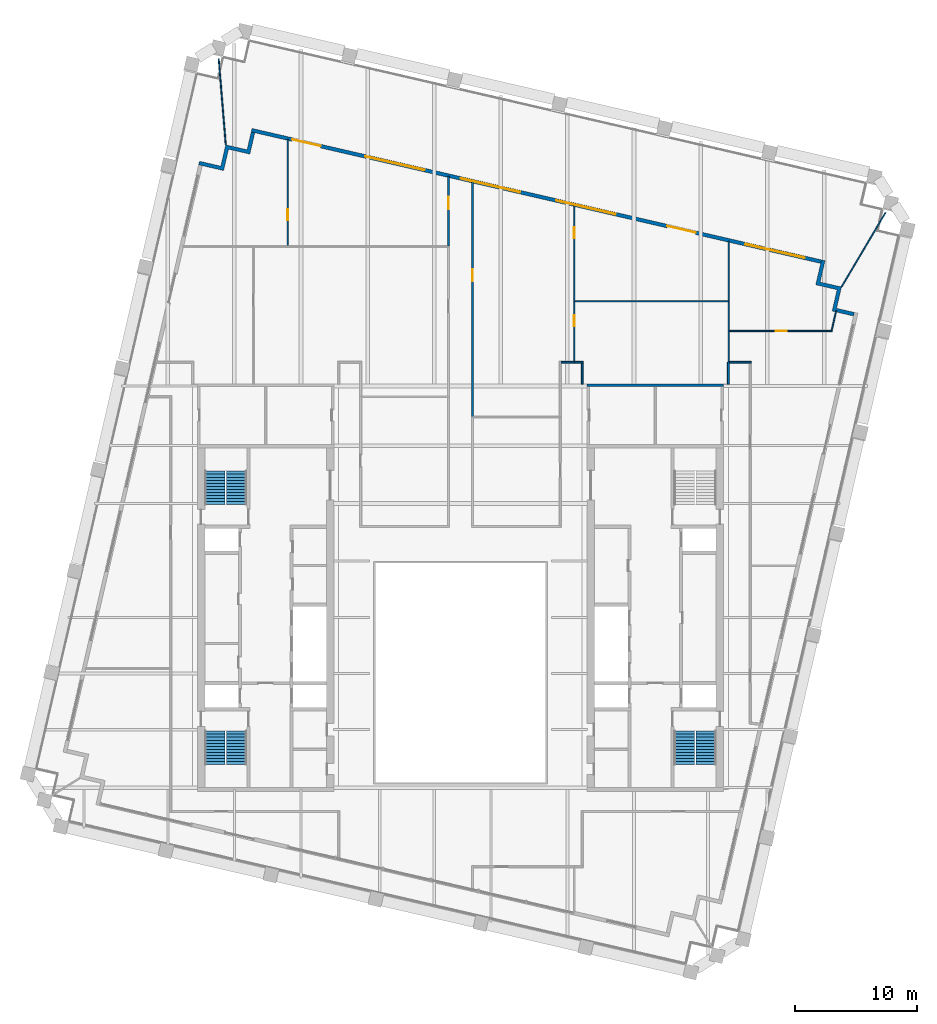
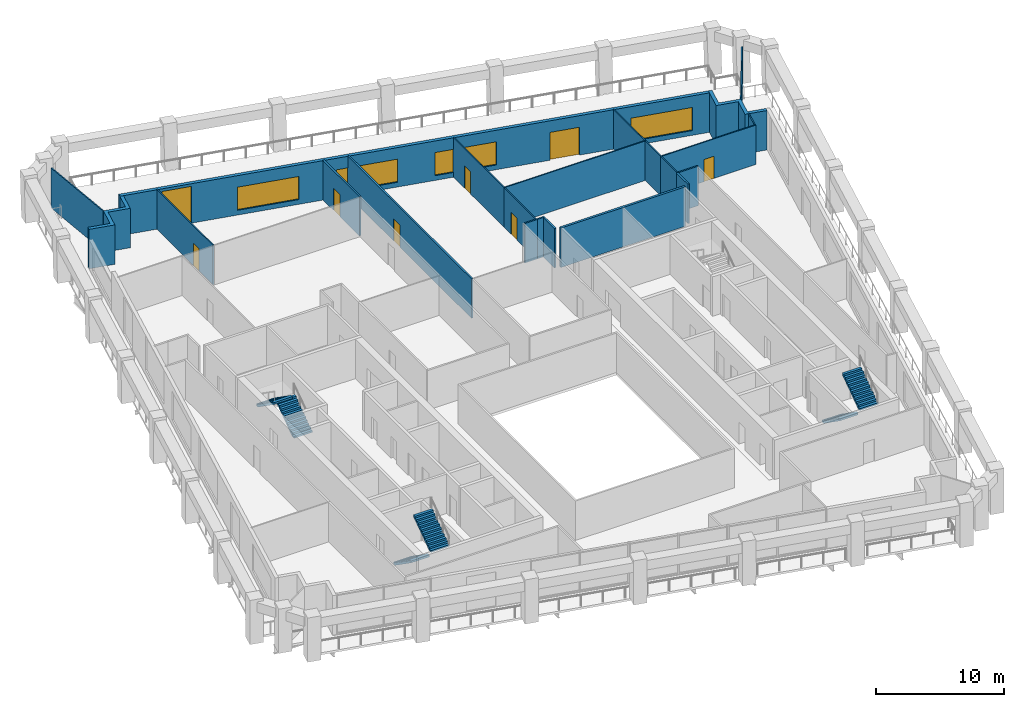
# One storey, part 9 of 11: 22 walls, 8 doors, 6 stair flights, 4 windows, 12 openings, 3 elements without a shape of their own.
"""IFC4 building model written with IfcOpenShell, lengths in metres."""

import ifcopenshell
import ifcopenshell.guid

model = None  # the IFC model being written
_history = None  # IfcOwnerHistory: only IFC2X3 demands one
_inside = {}  # id of a spatial element -> (the spatial element, [elements in it])
_under = {}  # id of a project, library or spatial element -> (it, [spatial elements below it])
_declared = {}  # id of a project -> (the project, [libraries it declares])
_typed = {}  # id of a type object -> (the type object, [elements of that type])
_made_of = {}  # id of a material, layer set ... -> (it, [elements and type objects made of it])


def new_model(schema):
    """Start an empty IFC model of exactly this schema.

    Asked for "IFC4X3", IfcOpenShell would pick the latest addendum, in which some entities
    have other attributes; the version numbers below select the first issue.
    IFC2X3 requires an IfcOwnerHistory on every rooted entity: one is made here for all.
    """
    global model, _history
    if schema == "IFC4X3":
        model = ifcopenshell.file(schema_version=(4, 3, 0, 0))
    else:
        model = ifcopenshell.file(schema=schema)
    _inside.clear()
    _under.clear()
    _declared.clear()
    _typed.clear()
    _made_of.clear()
    _history = None
    if model.schema == "IFC2X3":
        org = make("IfcOrganization", Name="unknown")
        user = make(
            "IfcPersonAndOrganization",
            ThePerson=make("IfcPerson", FamilyName="unknown"),
            TheOrganization=org,
        )
        app = make(
            "IfcApplication",
            ApplicationDeveloper=org,
            Version="unknown",
            ApplicationFullName="unknown",
            ApplicationIdentifier="unknown",
        )
        _history = make(
            "IfcOwnerHistory",
            OwningUser=user,
            OwningApplication=app,
            ChangeAction="ADDED",
            CreationDate=0,
        )
    return model


def make(cls, **values):
    """One entity of the class cls with the attributes given. An attribute that is None is left unset."""
    return model.create_entity(
        cls, **{name: value for name, value in values.items() if value is not None}
    )


def rooted(cls, **values):
    """An entity with a GlobalId (a new one), such as an element, a storey or a relation."""
    return make(cls, GlobalId=ifcopenshell.guid.new(), OwnerHistory=_history, **values)


def si_unit(unit_type, name, prefix=None):
    """IfcSIUnit, for example si_unit("LENGTHUNIT", "METRE", prefix="MILLI")."""
    return make("IfcSIUnit", UnitType=unit_type, Prefix=prefix, Name=name)


def assignment(units):
    """IfcUnitAssignment: the units of a project."""
    return None if units is None else make("IfcUnitAssignment", Units=units)


def point(xyz):
    """IfcCartesianPoint."""
    return None if xyz is None else make("IfcCartesianPoint", Coordinates=xyz)


def direction(xyz):
    """IfcDirection."""
    return None if xyz is None else make("IfcDirection", DirectionRatios=xyz)


def frame(location, z_axis=None, x_axis=None):
    """IfcAxis2Placement3D, a coordinate frame: its origin and axes. An axis left out is left unset."""
    return make(
        "IfcAxis2Placement3D",
        Location=point(location),
        Axis=direction(z_axis),
        RefDirection=direction(x_axis),
    )


def frame_2d(location, x_axis=None):
    """IfcAxis2Placement2D, a coordinate frame in the plane: its origin and x axis."""
    return make(
        "IfcAxis2Placement2D", Location=point(location), RefDirection=direction(x_axis)
    )


def origin():
    """The frame at (0, 0, 0) with its axes left unset."""
    return frame((0.0, 0.0, 0.0))


def place(relative_to, where):
    """IfcLocalPlacement: puts the frame where relative to a parent placement (None: the world)."""
    return make(
        "IfcLocalPlacement", PlacementRelTo=relative_to, RelativePlacement=where
    )


def context(
    kind, dimensions, precision=None, world=None, true_north=None, identifier=None
):
    """IfcGeometricRepresentationContext, for example the 3D "Model" context."""
    return make(
        "IfcGeometricRepresentationContext",
        ContextIdentifier=identifier,
        ContextType=kind,
        CoordinateSpaceDimension=dimensions,
        Precision=precision,
        WorldCoordinateSystem=world,
        TrueNorth=true_north,
    )


def subcontext(parent, identifier, kind, view, scale=None):
    """IfcGeometricRepresentationSubContext, for example "Body" below "Model"."""
    return make(
        "IfcGeometricRepresentationSubContext",
        ContextIdentifier=identifier,
        ContextType=kind,
        ParentContext=parent,
        TargetScale=scale,
        TargetView=view,
    )


def project(units=None, contexts=None):
    """IfcProject with its units and contexts."""
    return rooted(
        "IfcProject",
        Name="project",
        RepresentationContexts=contexts,
        UnitsInContext=assignment(units),
    )


def spatial(cls, under=None, at=None, **own):
    """A site, building, storey or space (cls), placed at a placement, below another one or the project."""
    s = rooted(cls, ObjectPlacement=at, **own)
    if under is not None:
        _under.setdefault(under.id(), (under, []))[1].append(s)
    return s


def polyline(points):
    """IfcPolyline through the points."""
    return make("IfcPolyline", Points=[point(p) for p in points])


def profile(cls, at=None, kind="AREA", **sizes):
    """A parametric profile (cls). Its sizes go by their IFC names, for example OverallWidth=200.0."""
    return make(cls, ProfileType=kind, Position=at, **sizes)


def rectangle(**sizes):
    """IfcRectangleProfileDef."""
    return profile("IfcRectangleProfileDef", **sizes)


def outline(outer, holes=None, kind="AREA"):
    """IfcArbitraryClosedProfileDef: a profile drawn as a closed curve; with holes, ...WithVoids."""
    if holes is None:
        return make("IfcArbitraryClosedProfileDef", ProfileType=kind, OuterCurve=outer)
    return make(
        "IfcArbitraryProfileDefWithVoids",
        ProfileType=kind,
        OuterCurve=outer,
        InnerCurves=holes,
    )


def extrude(swept, where, along, depth):
    """IfcExtrudedAreaSolid: the profile swept, set in the frame where, extruded along a direction by depth."""
    return make(
        "IfcExtrudedAreaSolid",
        SweptArea=swept,
        Position=where,
        ExtrudedDirection=direction(along),
        Depth=depth,
    )


def shape(context_of_items, identifier, shape_type, items):
    """IfcShapeRepresentation: the items that make up one representation, for example the "Body"."""
    return make(
        "IfcShapeRepresentation",
        ContextOfItems=context_of_items,
        RepresentationIdentifier=identifier,
        RepresentationType=shape_type,
        Items=items,
    )


def material(Name=None, Category=None):
    """IfcMaterial."""
    return make("IfcMaterial", Name=Name, Category=Category)


def layer(
    of_material, thickness, ventilated=None, Name=None, Category=None, Priority=None
):
    """IfcMaterialLayer: one layer of a wall or slab, of a material (None: an air gap)."""
    return make(
        "IfcMaterialLayer",
        Material=of_material,
        LayerThickness=thickness,
        IsVentilated=ventilated,
        Name=Name,
        Category=Category,
        Priority=Priority,
    )


def layer_set(layers, Name=None):
    """IfcMaterialLayerSet."""
    return make("IfcMaterialLayerSet", MaterialLayers=layers, LayerSetName=Name)


def made_of(thing, what):
    """Note that an element or type object is made of a material, layer set ...; save() writes the relation."""
    if what is not None:
        _made_of.setdefault(what.id(), (what, []))[1].append(thing)
    return thing


def type_object(cls, material=None, **own):
    """A type object (cls), such as IfcWallType, which elements share."""
    return made_of(rooted(cls, **own), material)


def element(
    cls,
    number,
    at=None,
    inside=None,
    cuts=None,
    type_object=None,
    material=None,
    context=None,
    identifier="Body",
    shape_type=None,
    held_by="IfcProductDefinitionShape",
    body=None,
    shapes=None,
    **own,
):
    """One element of the class cls, such as IfcWall. Its Tag is "e" and its number.

    at: its placement. inside: the storey or other place that contains it. cuts: it is an
    opening in that element (IfcRelVoidsElement). A single representation is given by context,
    identifier, shape_type and body (its items); several are given by shapes. held_by: the class
    of the entity that holds the representations. save() writes the other relations.
    """
    e = rooted(cls, Tag="e%d" % number, ObjectPlacement=at, **own)
    if body is not None:
        shapes = [shape(context, identifier, shape_type, body)]
    if shapes is not None:
        e.Representation = make(held_by, Representations=shapes)
    if inside is not None:
        _inside.setdefault(inside.id(), (inside, []))[1].append(e)
    if cuts is not None:
        rooted(
            "IfcRelVoidsElement", RelatingBuildingElement=cuts, RelatedOpeningElement=e
        )
    if type_object is not None:
        _typed.setdefault(type_object.id(), (type_object, []))[1].append(e)
    return made_of(e, material)


def fill(opening, filler):
    """IfcRelFillsElement: the door or window that sits in an opening."""
    return rooted(
        "IfcRelFillsElement",
        RelatingOpeningElement=opening,
        RelatedBuildingElement=filler,
    )


def aggregate(whole, parts):
    """IfcRelAggregates: a whole, such as a stair, and the parts it consists of."""
    return rooted("IfcRelAggregates", RelatingObject=whole, RelatedObjects=parts)


def save(model, path):
    """Write the relations noted so far, then the file.

    IfcRelAggregates (storeys below a building ...), IfcRelContainedInSpatialStructure (elements
    in a storey), IfcRelDefinesByType, IfcRelAssociatesMaterial and IfcRelDeclares: one each for
    every whole, place, type object, material and project.
    """
    for whole, parts in _under.values():
        aggregate(whole, parts)
    for where, things in _inside.values():
        rooted(
            "IfcRelContainedInSpatialStructure",
            RelatedElements=things,
            RelatingStructure=where,
        )
    for kind, things in _typed.values():
        rooted("IfcRelDefinesByType", RelatedObjects=things, RelatingType=kind)
    for what, things in _made_of.values():
        rooted("IfcRelAssociatesMaterial", RelatedObjects=things, RelatingMaterial=what)
    for by, libraries in _declared.values():
        rooted("IfcRelDeclares", RelatingContext=by, RelatedDefinitions=libraries)
    model.write(path)


model = new_model("IFC4")

# Units and contexts
model_context = context("Model", 3, precision=1e-05, world=origin(), true_north=direction((0.0, 1.0)))
body_context = subcontext(model_context, "Body", "Model", "MODEL_VIEW")
ifc_project = project(units=[si_unit("LENGTHUNIT", "METRE"), si_unit("AREAUNIT", "SQUARE_METRE"), si_unit("VOLUMEUNIT", "CUBIC_METRE"), si_unit("PLANEANGLEUNIT", "RADIAN"), si_unit("MASSUNIT", "GRAM", prefix="KILO")], contexts=[model_context])

# Site, building, storey
site_placement = place(None, origin())
site = spatial("IfcSite", under=ifc_project, at=site_placement, CompositionType="ELEMENT")
building_placement = place(site_placement, origin())
building = spatial("IfcBuilding", under=site, at=building_placement, Name="Ogive Exchange Tower", CompositionType="ELEMENT")
storey_placement = place(building_placement, frame((0.0, 0.0, 293.39990234375)))
storey = spatial("IfcBuildingStorey", under=building, at=storey_placement, Name="L64", CompositionType="ELEMENT", Elevation=293.39990234375)

# Wall, opening, door
ifc_material_1 = material(Name="Fire partition EI 60 150")
ifc_layer_1 = layer(ifc_material_1, 0.14990234375)
ifc_layer_set_1 = layer_set([ifc_layer_1], Name="Fire partition EI 60 150")
wall_type_1 = type_object("IfcWallType", Name="Fire partition EI 60 150", PredefinedType="PARTITIONING", material=ifc_layer_set_1)
wall_1_placement = place(storey_placement, frame((-0.989990234375, 42.050048828125, 0.0), z_axis=(0.0, 0.0, 1.0), x_axis=(0.0, 1.0, 0.0)))
wall_1 = element("IfcWall", 1, at=wall_1_placement, inside=storey, type_object=wall_type_1, Name="L64-PWL-023", PredefinedType="PARTITIONING", context=body_context, shape_type="SweptSolid", body=[
    extrude(rectangle(XDim=5.702880859375, YDim=0.14990234375, at=frame_2d((2.8515625, 0.0))), origin(), (0.0, 0.0, 1.0), 3.75),
])
opening_1_placement = place(wall_1_placement, frame((3.030029296875, 0.0, 0.0)))
opening_1 = element("IfcOpeningElement", 2, at=opening_1_placement, cuts=wall_1, Name="Opening L64-I13", PredefinedType="OPENING", context=body_context, shape_type="SweptSolid", body=[
    extrude(rectangle(XDim=1.0, YDim=2.10009765625, at=frame_2d((0.5, 1.050048828125))), frame((0.0, 0.0849609375, 0.0), z_axis=(0.0, -1.0, 0.0), x_axis=(1.0, 0.0, 0.0)), (0.0, 0.0, 1.0), 0.169921875),
])
ifc_material_2 = material(Name="Fire door FD 30S 1000 x 2100")
door_type_1 = type_object("IfcDoorType", Name="Fire door FD 30S 1000 x 2100", OperationType="NOTDEFINED", PredefinedType="DOOR", material=ifc_material_2)
door_1_placement = place(opening_1_placement, origin())
door_1 = element("IfcDoor", 3, at=door_1_placement, inside=storey, type_object=door_type_1, Name="L64-IDR-013", ObjectType="DT3", OperationType="SINGLE_SWING_LEFT", OverallHeight=2.10009765625, OverallWidth=1.0, PredefinedType="DOOR", context=body_context, shape_type="SweptSolid", body=[
    extrude(rectangle(XDim=1.0, YDim=2.10009765625, at=frame_2d((0.5, 1.050048828125))), frame((0.0, 0.02490234375, 0.0), z_axis=(0.0, -1.0, 0.0), x_axis=(1.0, 0.0, 0.0)), (0.0, 0.0, 1.0), 0.050048828125),
])
fill(opening_1, door_1)

wall_2_placement = place(storey_placement, frame((0.989990234375, 47.2958984375, 0.0), z_axis=(0.0, 0.0, 1.0), x_axis=(0.0, -1.0, 0.0)))
wall_2 = element("IfcWall", 4, at=wall_2_placement, inside=storey, type_object=wall_type_1, Name="L64-PWL-028", PredefinedType="PARTITIONING", context=body_context, shape_type="SweptSolid", body=[
    extrude(rectangle(XDim=19.2958984375, YDim=0.14990234375, at=frame_2d((9.64794921875, 0.0))), origin(), (0.0, 0.0, 1.0), 3.75),
])
opening_2_placement = place(wall_2_placement, frame((7.14599609375, 0.0, 0.0)))
opening_2 = element("IfcOpeningElement", 5, at=opening_2_placement, cuts=wall_2, Name="Opening L64-I02", PredefinedType="OPENING", context=body_context, shape_type="SweptSolid", body=[
    extrude(rectangle(XDim=1.0, YDim=2.10009765625, at=frame_2d((0.5, 1.050048828125))), frame((0.0, 0.0849609375, 0.0), z_axis=(0.0, -1.0, 0.0), x_axis=(1.0, 0.0, 0.0)), (0.0, 0.0, 1.0), 0.169921875),
])
door_2_placement = place(opening_2_placement, origin())
door_2 = element("IfcDoor", 6, at=door_2_placement, inside=storey, type_object=door_type_1, Name="L64-IDR-002", ObjectType="DT3", OperationType="SINGLE_SWING_RIGHT", OverallHeight=2.10009765625, OverallWidth=1.0, PredefinedType="DOOR", context=body_context, shape_type="SweptSolid", body=[
    extrude(rectangle(XDim=1.0, YDim=2.10009765625, at=frame_2d((0.5, 1.050048828125))), frame((0.0, 0.02490234375, 0.0), z_axis=(0.0, -1.0, 0.0), x_axis=(1.0, 0.0, 0.0)), (0.0, 0.0, 1.0), 0.050048828125),
])
fill(opening_2, door_2)

# Walls
wall_3_placement = place(storey_placement, frame((8.27490234375, 32.5, 0.0), z_axis=(0.0, 0.0, 1.0), x_axis=(1.0, 0.0, 0.0)))
element("IfcWall", 7, at=wall_3_placement, inside=storey, type_object=wall_type_1, Name="L64-PWL-031", PredefinedType="PARTITIONING", context=body_context, shape_type="SweptSolid", body=[
    extrude(rectangle(XDim=1.114990234375, YDim=0.14990234375, at=frame_2d((0.5576171875, 0.0))), origin(), (0.0, 0.0, 1.0), 3.75),
])
wall_4_placement = place(storey_placement, frame((9.389892578125, 32.5, 0.0), z_axis=(0.0, 0.0, 1.0), x_axis=(1.0, 0.0, 0.0)))
element("IfcWall", 8, at=wall_4_placement, inside=storey, type_object=wall_type_1, Name="L64-PWL-034", PredefinedType="PARTITIONING", context=body_context, shape_type="SweptSolid", body=[
    extrude(rectangle(XDim=0.68505859375, YDim=0.14990234375, at=frame_2d((0.342529296875, 0.0))), origin(), (0.0, 0.0, 1.0), 3.75),
])
wall_5_placement = place(storey_placement, frame((10.0, 32.425048828125, 0.0), z_axis=(0.0, 0.0, 1.0), x_axis=(0.0, -1.0, 0.0)))
element("IfcWall", 9, at=wall_5_placement, inside=storey, type_object=wall_type_1, Name="L64-PWL-039", PredefinedType="PARTITIONING", context=body_context, shape_type="SweptSolid", body=[
    extrude(rectangle(XDim=1.72509765625, YDim=0.14990234375, at=frame_2d((0.862548828125, 0.0))), origin(), (0.0, 0.0, 1.0), 3.75),
])
wall_6_placement = place(storey_placement, frame((22.0, 30.699951171875, 0.0), z_axis=(0.0, 0.0, 1.0), x_axis=(0.0, 1.0, 0.0)))
element("IfcWall", 10, at=wall_6_placement, inside=storey, type_object=wall_type_1, Name="L64-PWL-040", PredefinedType="PARTITIONING", context=body_context, shape_type="SweptSolid", body=[
    extrude(rectangle(XDim=1.800048828125, YDim=0.14990234375, at=frame_2d((0.89990234375, 0.0))), origin(), (0.0, 0.0, 1.0), 3.75),
])
wall_7_placement = place(storey_placement, frame((21.97998046875, 32.5, 0.0), z_axis=(0.0, 0.0, 1.0), x_axis=(1.0, 0.0, 0.0)))
element("IfcWall", 11, at=wall_7_placement, inside=storey, type_object=wall_type_1, Name="L64-PWL-041", PredefinedType="PARTITIONING", context=body_context, shape_type="SweptSolid", body=[
    extrude(rectangle(XDim=1.89501953125, YDim=0.14990234375, at=frame_2d((0.947509765625, 0.0))), origin(), (0.0, 0.0, 1.0), 3.75),
])

# Wall, openings, windows, doors
ifc_material_3 = material(Name="Precast concrete C40/50", Category="concrete")
ifc_layer_2 = layer(ifc_material_3, 0.300048828125)
ifc_layer_set_2 = layer_set([ifc_layer_2], Name="Limestone-faced wall 300")
wall_type_2 = type_object("IfcWallType", Name="Limestone-faced wall 300", PredefinedType="STANDARD", material=ifc_layer_set_2)
wall_8_placement = place(storey_placement, frame((29.6162109375, 40.75830078125, 0.0), z_axis=(0.0, 0.0, 1.0), x_axis=(-0.974370532314, 0.224949029246, 0.0)))
wall_8 = element("IfcWall", 12, at=wall_8_placement, inside=storey, type_object=wall_type_2, Name="External wall N4", PredefinedType="STANDARD", context=body_context, shape_type="SweptSolid", body=[
    extrude(rectangle(XDim=48.000244140625, YDim=0.300048828125, at=frame_2d((24.0, 0.0))), origin(), (0.0, 0.0, 1.0), 3.75),
])
opening_3_placement = place(wall_8_placement, frame((1.375, 0.0, 0.449951171875)))
opening_3 = element("IfcOpeningElement", 13, at=opening_3_placement, cuts=wall_8, Name="Opening W2O", PredefinedType="OPENING", context=body_context, shape_type="SweptSolid", body=[
    extrude(rectangle(XDim=5.0, YDim=2.199951171875, at=frame_2d((2.5, 1.10009765625))), frame((0.0, 0.159912109375, 0.0), z_axis=(0.0, -1.0, 0.0), x_axis=(1.0, 0.0, 0.0)), (0.0, 0.0, 1.0), 0.320068359375),
])
opening_4_placement = place(wall_8_placement, frame((10.574951171875, 0.0, 0.0)))
opening_4 = element("IfcOpeningElement", 14, at=opening_4_placement, cuts=wall_8, Name="Opening D1T", PredefinedType="OPENING", context=body_context, shape_type="SweptSolid", body=[
    extrude(rectangle(XDim=2.39990234375, YDim=2.64990234375, at=frame_2d((1.199951171875, 1.324951171875))), frame((0.0, 0.159912109375, 0.0), z_axis=(0.0, -1.0, 0.0), x_axis=(1.0, 0.0, 0.0)), (0.0, 0.0, 1.0), 0.320068359375),
])
opening_5_placement = place(wall_8_placement, frame((17.324951171875, 0.0, 0.449951171875)))
opening_5 = element("IfcOpeningElement", 15, at=opening_5_placement, cuts=wall_8, Name="Opening W2O", PredefinedType="OPENING", context=body_context, shape_type="SweptSolid", body=[
    extrude(rectangle(XDim=5.0, YDim=2.199951171875, at=frame_2d((2.5, 1.10009765625))), frame((0.0, 0.159912109375, 0.0), z_axis=(0.0, -1.0, 0.0), x_axis=(1.0, 0.0, 0.0)), (0.0, 0.0, 1.0), 0.320068359375),
])
opening_6_placement = place(wall_8_placement, frame((25.375, 0.0, 0.449951171875)))
opening_6 = element("IfcOpeningElement", 16, at=opening_6_placement, cuts=wall_8, Name="Opening W2O", PredefinedType="OPENING", context=body_context, shape_type="SweptSolid", body=[
    extrude(rectangle(XDim=5.0, YDim=2.199951171875, at=frame_2d((2.5, 1.10009765625))), frame((0.0, 0.159912109375, 0.0), z_axis=(0.0, -1.0, 0.0), x_axis=(1.0, 0.0, 0.0)), (0.0, 0.0, 1.0), 0.320068359375),
])
opening_7_placement = place(wall_8_placement, frame((33.425048828125, 0.0, 0.449951171875)))
opening_7 = element("IfcOpeningElement", 17, at=opening_7_placement, cuts=wall_8, Name="Opening W2O", PredefinedType="OPENING", context=body_context, shape_type="SweptSolid", body=[
    extrude(rectangle(XDim=5.0, YDim=2.199951171875, at=frame_2d((2.5, 1.10009765625))), frame((0.0, 0.159912109375, 0.0), z_axis=(0.0, -1.0, 0.0), x_axis=(1.0, 0.0, 0.0)), (0.0, 0.0, 1.0), 0.320068359375),
])
opening_8_placement = place(wall_8_placement, frame((42.175048828125, 0.0, 0.0)))
opening_8 = element("IfcOpeningElement", 18, at=opening_8_placement, cuts=wall_8, Name="Opening D1", PredefinedType="OPENING", context=body_context, shape_type="SweptSolid", body=[
    extrude(rectangle(XDim=2.39990234375, YDim=3.5, at=frame_2d((1.199951171875, 1.75))), frame((0.0, 0.159912109375, 0.0), z_axis=(0.0, -1.0, 0.0), x_axis=(1.0, 0.0, 0.0)), (0.0, 0.0, 1.0), 0.320068359375),
])
ifc_material_4 = material(Name="Clear glass in bronze frame", Category="glass")
window_type = type_object("IfcWindowType", Name="Executive lancet window 5000 x 2200", PartitioningType="DOUBLE_PANEL_VERTICAL", PredefinedType="WINDOW", material=ifc_material_4)
window_1_placement = place(opening_3_placement, origin())
window_1 = element("IfcWindow", 19, at=window_1_placement, inside=storey, type_object=window_type, Name="Window N00", OverallHeight=2.199951171875, OverallWidth=5.0, PartitioningType="DOUBLE_PANEL_VERTICAL", PredefinedType="WINDOW", context=body_context, shape_type="SweptSolid", body=[
    extrude(rectangle(XDim=5.0, YDim=2.199951171875, at=frame_2d((2.5, 1.10009765625))), frame((0.0, 0.030029296875, 0.0), z_axis=(0.0, -1.0, 0.0), x_axis=(1.0, 0.0, 0.0)), (0.0, 0.0, 1.0), 0.06005859375),
])
fill(opening_3, window_1)
window_2_placement = place(opening_5_placement, origin())
window_2 = element("IfcWindow", 20, at=window_2_placement, inside=storey, type_object=window_type, Name="Window N02", OverallHeight=2.199951171875, OverallWidth=5.0, PartitioningType="DOUBLE_PANEL_VERTICAL", PredefinedType="WINDOW", context=body_context, shape_type="SweptSolid", body=[
    extrude(rectangle(XDim=5.0, YDim=2.199951171875, at=frame_2d((2.5, 1.10009765625))), frame((0.0, 0.030029296875, 0.0), z_axis=(0.0, -1.0, 0.0), x_axis=(1.0, 0.0, 0.0)), (0.0, 0.0, 1.0), 0.06005859375),
])
fill(opening_5, window_2)
window_3_placement = place(opening_6_placement, origin())
window_3 = element("IfcWindow", 21, at=window_3_placement, inside=storey, type_object=window_type, Name="Window N03", OverallHeight=2.199951171875, OverallWidth=5.0, PartitioningType="DOUBLE_PANEL_VERTICAL", PredefinedType="WINDOW", context=body_context, shape_type="SweptSolid", body=[
    extrude(rectangle(XDim=5.0, YDim=2.199951171875, at=frame_2d((2.5, 1.10009765625))), frame((0.0, 0.030029296875, 0.0), z_axis=(0.0, -1.0, 0.0), x_axis=(1.0, 0.0, 0.0)), (0.0, 0.0, 1.0), 0.06005859375),
])
fill(opening_6, window_3)
window_4_placement = place(opening_7_placement, origin())
window_4 = element("IfcWindow", 22, at=window_4_placement, inside=storey, type_object=window_type, Name="Window N04", OverallHeight=2.199951171875, OverallWidth=5.0, PartitioningType="DOUBLE_PANEL_VERTICAL", PredefinedType="WINDOW", context=body_context, shape_type="SweptSolid", body=[
    extrude(rectangle(XDim=5.0, YDim=2.199951171875, at=frame_2d((2.5, 1.10009765625))), frame((0.0, 0.030029296875, 0.0), z_axis=(0.0, -1.0, 0.0), x_axis=(1.0, 0.0, 0.0)), (0.0, 0.0, 1.0), 0.06005859375),
])
fill(opening_7, window_4)
door_type_2 = type_object("IfcDoorType", Name="Sliding loggia door 2400 x 2650", OperationType="DOUBLE_DOOR_SLIDING", PredefinedType="DOOR", material=ifc_material_4)
door_3_placement = place(opening_4_placement, origin())
door_3 = element("IfcDoor", 23, at=door_3_placement, inside=storey, type_object=door_type_2, Name="Loggia door N01", OperationType="DOUBLE_DOOR_SLIDING", OverallHeight=2.64990234375, OverallWidth=2.39990234375, PredefinedType="DOOR", context=body_context, shape_type="SweptSolid", body=[
    extrude(rectangle(XDim=2.39990234375, YDim=2.64990234375, at=frame_2d((1.199951171875, 1.324951171875))), frame((0.0, 0.02490234375, 0.0), z_axis=(0.0, -1.0, 0.0), x_axis=(1.0, 0.0, 0.0)), (0.0, 0.0, 1.0), 0.050048828125),
])
fill(opening_4, door_3)
door_type_3 = type_object("IfcDoorType", Name="Sliding loggia door 2400 x 3500", OperationType="DOUBLE_DOOR_SLIDING", PredefinedType="DOOR", material=ifc_material_4)
door_4_placement = place(opening_8_placement, origin())
door_4 = element("IfcDoor", 24, at=door_4_placement, inside=storey, type_object=door_type_3, Name="Loggia door N05", OperationType="DOUBLE_DOOR_SLIDING", OverallHeight=3.5, OverallWidth=2.39990234375, PredefinedType="DOOR", context=body_context, shape_type="SweptSolid", body=[
    extrude(rectangle(XDim=2.39990234375, YDim=3.5, at=frame_2d((1.199951171875, 1.75))), frame((0.0, 0.02490234375, 0.0), z_axis=(0.0, -1.0, 0.0), x_axis=(1.0, 0.0, 0.0)), (0.0, 0.0, 1.0), 0.050048828125),
])
fill(opening_8, door_4)

# Walls
wall_9_placement = place(storey_placement, origin())
element("IfcWall", 25, at=wall_9_placement, inside=storey, type_object=wall_type_2, Name="External corner wall C2", PredefinedType="STANDARD", context=body_context, shape_type="SweptSolid", body=[
    extrude(outline(polyline([(30.931396484375, 38.453369140625), (29.177490234375, 38.8583984375), (29.64990234375, 40.904541015625), (29.942138671875, 40.8369140625), (29.537109375, 39.0830078125), (31.291015625, 38.67822265625), (30.88623046875, 36.92431640625), (32.34765625, 36.5869140625), (32.2802734375, 36.294677734375), (30.5263671875, 36.699462890625), (30.931396484375, 38.453369140625)])), origin(), (0.0, 0.0, 1.0), 3.75),
])
wall_10_placement = place(storey_placement, origin())
element("IfcWall", 26, at=wall_10_placement, inside=storey, type_object=wall_type_2, Name="External corner wall C3", PredefinedType="STANDARD", context=body_context, shape_type="SweptSolid", body=[
    extrude(outline(polyline([(-21.5048828125, 48.7119140625), (-21.4375, 49.004150390625), (-19.68359375, 48.599365234375), (-19.27880859375, 50.353271484375), (-17.52490234375, 49.9482421875), (-17.1875, 51.409912109375), (-16.89501953125, 51.34228515625), (-17.300048828125, 49.58837890625), (-19.053955078125, 49.993408203125), (-19.458740234375, 48.239501953125), (-21.5048828125, 48.7119140625)])), origin(), (0.0, 0.0, 1.0), 3.75),
])
ifc_material_5 = material(Name="Laminated safety glass in steel frame", Category="steel")
ifc_layer_3 = layer(ifc_material_5, 0.10009765625)
ifc_layer_set_3 = layer_set([ifc_layer_3], Name="Loggia end screen 100")
wall_type_3 = type_object("IfcWallType", Name="Loggia end screen 100", PredefinedType="STANDARD", material=ifc_layer_set_3)
wall_11_placement = place(storey_placement, frame((31.291015625, 38.67822265625, -0.0498046875), z_axis=(0.0, 0.0, 1.0), x_axis=(0.510319551581, 0.859984857584, 0.0)))
element("IfcWall", 27, at=wall_11_placement, inside=storey, type_object=wall_type_3, Name="Loggia end screen C2", PredefinedType="STANDARD", context=body_context, shape_type="SweptSolid", body=[
    extrude(rectangle(XDim=7.10302734375, YDim=0.10009765625, at=frame_2d((3.551513671875, 0.0))), origin(), (0.0, 0.0, 1.0), 3.7998046875),
])
wall_12_placement = place(storey_placement, frame((-19.27880859375, 50.353271484375, -0.0498046875), z_axis=(0.0, 0.0, 1.0), x_axis=(-0.081671409599, 0.996659310323, 0.0)))
element("IfcWall", 28, at=wall_12_placement, inside=storey, type_object=wall_type_3, Name="Loggia end screen C3", PredefinedType="STANDARD", context=body_context, shape_type="SweptSolid", body=[
    extrude(rectangle(XDim=7.1025390625, YDim=0.10009765625, at=frame_2d((3.55126953125, 0.0))), origin(), (0.0, 0.0, 1.0), 3.7998046875),
])

# Wall, opening, door
ifc_material_6 = material(Name="Partition 100 gypsum")
ifc_layer_4 = layer(ifc_material_6, 0.10009765625)
ifc_layer_set_4 = layer_set([ifc_layer_4], Name="Partition 100 gypsum")
wall_type_4 = type_object("IfcWallType", Name="Partition 100 gypsum", PredefinedType="PARTITIONING", material=ifc_layer_set_4)
wall_13_placement = place(storey_placement, frame((-14.18994140625, 42.050048828125, 0.0), z_axis=(0.0, 0.0, 1.0), x_axis=(0.0, 1.0, 0.0)))
wall_13 = element("IfcWall", 29, at=wall_13_placement, inside=storey, type_object=wall_type_4, Name="L64-PWL-011", PredefinedType="PARTITIONING", context=body_context, shape_type="SweptSolid", body=[
    extrude(rectangle(XDim=8.75, YDim=0.10009765625, at=frame_2d((4.375, 0.0))), origin(), (0.0, 0.0, 1.0), 3.75),
])
opening_9_placement = place(wall_13_placement, frame((2.1201171875, 0.0, 0.0)))
opening_9 = element("IfcOpeningElement", 30, at=opening_9_placement, cuts=wall_13, Name="Opening L64-I14", PredefinedType="OPENING", context=body_context, shape_type="SweptSolid", body=[
    extrude(rectangle(XDim=0.89990234375, YDim=2.10009765625, at=frame_2d((0.449951171875, 1.050048828125))), frame((0.0, 0.06005859375, 0.0), z_axis=(0.0, -1.0, 0.0), x_axis=(1.0, 0.0, 0.0)), (0.0, 0.0, 1.0), 0.1201171875),
])
ifc_material_7 = material(Name="Door 900 x 2100")
door_type_4 = type_object("IfcDoorType", Name="Door 900 x 2100", OperationType="NOTDEFINED", PredefinedType="DOOR", material=ifc_material_7)
door_5_placement = place(opening_9_placement, origin())
door_5 = element("IfcDoor", 31, at=door_5_placement, inside=storey, type_object=door_type_4, Name="L64-IDR-014", ObjectType="DT1", OperationType="SINGLE_SWING_RIGHT", OverallHeight=2.10009765625, OverallWidth=0.89990234375, PredefinedType="DOOR", context=body_context, shape_type="SweptSolid", body=[
    extrude(rectangle(XDim=0.89990234375, YDim=2.10009765625, at=frame_2d((0.449951171875, 1.050048828125))), frame((0.0, 0.02490234375, 0.0), z_axis=(0.0, -1.0, 0.0), x_axis=(1.0, 0.0, 0.0)), (0.0, 0.0, 1.0), 0.050048828125),
])
fill(opening_9, door_5)

wall_14_placement = place(storey_placement, frame((9.340087890625, 37.449951171875, 0.0), z_axis=(0.0, 0.0, 1.0), x_axis=(0.0, -1.0, 0.0)))
wall_14 = element("IfcWall", 32, at=wall_14_placement, inside=storey, type_object=wall_type_4, Name="L64-PWL-035", PredefinedType="PARTITIONING", context=body_context, shape_type="SweptSolid", body=[
    extrude(rectangle(XDim=4.875, YDim=0.10009765625, at=frame_2d((2.4375, 0.0))), origin(), (0.0, 0.0, 1.0), 3.75),
])
opening_10_placement = place(wall_14_placement, frame((1.10009765625, 0.0, 0.0)))
opening_10 = element("IfcOpeningElement", 33, at=opening_10_placement, cuts=wall_14, Name="Opening L64-I06", PredefinedType="OPENING", context=body_context, shape_type="SweptSolid", body=[
    extrude(rectangle(XDim=0.89990234375, YDim=2.10009765625, at=frame_2d((0.449951171875, 1.050048828125))), frame((0.0, 0.06005859375, 0.0), z_axis=(0.0, -1.0, 0.0), x_axis=(1.0, 0.0, 0.0)), (0.0, 0.0, 1.0), 0.1201171875),
])
door_6_placement = place(opening_10_placement, origin())
door_6 = element("IfcDoor", 34, at=door_6_placement, inside=storey, type_object=door_type_4, Name="L64-IDR-006", ObjectType="DT1", OperationType="SINGLE_SWING_RIGHT", OverallHeight=2.10009765625, OverallWidth=0.89990234375, PredefinedType="DOOR", context=body_context, shape_type="SweptSolid", body=[
    extrude(rectangle(XDim=0.89990234375, YDim=2.10009765625, at=frame_2d((0.449951171875, 1.050048828125))), frame((0.0, 0.02490234375, 0.0), z_axis=(0.0, -1.0, 0.0), x_axis=(1.0, 0.0, 0.0)), (0.0, 0.0, 1.0), 0.050048828125),
])
fill(opening_10, door_6)

wall_15_placement = place(storey_placement, frame((9.340087890625, 45.367919921875, 0.0), z_axis=(0.0, 0.0, 1.0), x_axis=(0.0, -1.0, 0.0)))
wall_15 = element("IfcWall", 35, at=wall_15_placement, inside=storey, type_object=wall_type_4, Name="L64-PWL-036", PredefinedType="PARTITIONING", context=body_context, shape_type="SweptSolid", body=[
    extrude(rectangle(XDim=7.91796875, YDim=0.10009765625, at=frame_2d((3.958984375, 0.0))), origin(), (0.0, 0.0, 1.0), 3.75),
])
opening_11_placement = place(wall_15_placement, frame((1.76806640625, 0.0, 0.0)))
opening_11 = element("IfcOpeningElement", 36, at=opening_11_placement, cuts=wall_15, Name="Opening L64-I05", PredefinedType="OPENING", context=body_context, shape_type="SweptSolid", body=[
    extrude(rectangle(XDim=0.89990234375, YDim=2.10009765625, at=frame_2d((0.449951171875, 1.050048828125))), frame((0.0, 0.06005859375, 0.0), z_axis=(0.0, -1.0, 0.0), x_axis=(1.0, 0.0, 0.0)), (0.0, 0.0, 1.0), 0.1201171875),
])
door_7_placement = place(opening_11_placement, origin())
door_7 = element("IfcDoor", 37, at=door_7_placement, inside=storey, type_object=door_type_4, Name="L64-IDR-005", ObjectType="DT1", OperationType="SINGLE_SWING_RIGHT", OverallHeight=2.10009765625, OverallWidth=0.89990234375, PredefinedType="DOOR", context=body_context, shape_type="SweptSolid", body=[
    extrude(rectangle(XDim=0.89990234375, YDim=2.10009765625, at=frame_2d((0.449951171875, 1.050048828125))), frame((0.0, 0.02490234375, 0.0), z_axis=(0.0, -1.0, 0.0), x_axis=(1.0, 0.0, 0.0)), (0.0, 0.0, 1.0), 0.050048828125),
])
fill(opening_11, door_7)

# Wall
wall_16_placement = place(storey_placement, frame((22.030029296875, 35.1201171875, 0.0), z_axis=(0.0, 0.0, 1.0), x_axis=(0.0, -1.0, 0.0)))
element("IfcWall", 38, at=wall_16_placement, inside=storey, type_object=wall_type_4, Name="L64-PWL-042", PredefinedType="PARTITIONING", context=body_context, shape_type="SweptSolid", body=[
    extrude(rectangle(XDim=2.545166015625, YDim=0.10009765625, at=frame_2d((1.2724609375, 0.0))), origin(), (0.0, 0.0, 1.0), 3.75),
])

# Wall, opening, door
wall_17_placement = place(storey_placement, frame((22.080078125, 35.070068359375, 0.0), z_axis=(0.0, 0.0, 1.0), x_axis=(1.0, 0.0, 0.0)))
wall_17 = element("IfcWall", 39, at=wall_17_placement, inside=storey, type_object=wall_type_4, Name="L64-PWL-043", PredefinedType="PARTITIONING", context=body_context, shape_type="SweptSolid", body=[
    extrude(rectangle(XDim=8.449951171875, YDim=0.10009765625, at=frame_2d((4.22509765625, 0.0))), origin(), (0.0, 0.0, 1.0), 3.75),
])
opening_12_placement = place(wall_17_placement, frame((3.800048828125, 0.0, 0.0)))
opening_12 = element("IfcOpeningElement", 40, at=opening_12_placement, cuts=wall_17, Name="Opening L64-I09", PredefinedType="OPENING", context=body_context, shape_type="SweptSolid", body=[
    extrude(rectangle(XDim=0.89990234375, YDim=2.10009765625, at=frame_2d((0.449951171875, 1.050048828125))), frame((0.0, 0.06005859375, 0.0), z_axis=(0.0, -1.0, 0.0), x_axis=(1.0, 0.0, 0.0)), (0.0, 0.0, 1.0), 0.1201171875),
])
door_8_placement = place(opening_12_placement, origin())
door_8 = element("IfcDoor", 41, at=door_8_placement, inside=storey, type_object=door_type_4, Name="L64-IDR-009", ObjectType="DT1", OperationType="SINGLE_SWING_RIGHT", OverallHeight=2.10009765625, OverallWidth=0.89990234375, PredefinedType="DOOR", context=body_context, shape_type="SweptSolid", body=[
    extrude(rectangle(XDim=0.89990234375, YDim=2.10009765625, at=frame_2d((0.449951171875, 1.050048828125))), frame((0.0, 0.02490234375, 0.0), z_axis=(0.0, -1.0, 0.0), x_axis=(1.0, 0.0, 0.0)), (0.0, 0.0, 1.0), 0.050048828125),
])
fill(opening_12, door_8)

# Walls
wall_18_placement = place(storey_placement, frame((22.080078125, 37.5, 0.0), z_axis=(0.0, 0.0, 1.0), x_axis=(-1.0, 0.0, 0.0)))
element("IfcWall", 42, at=wall_18_placement, inside=storey, type_object=wall_type_4, Name="L64-PWL-044", PredefinedType="PARTITIONING", context=body_context, shape_type="SweptSolid", body=[
    extrude(rectangle(XDim=12.690185546875, YDim=0.10009765625, at=frame_2d((6.34521484375, 0.0))), origin(), (0.0, 0.0, 1.0), 3.75),
])
wall_19_placement = place(storey_placement, frame((22.030029296875, 37.449951171875, 0.0), z_axis=(0.0, 0.0, 1.0), x_axis=(0.0, -1.0, 0.0)))
element("IfcWall", 43, at=wall_19_placement, inside=storey, type_object=wall_type_4, Name="L64-PWL-045", PredefinedType="PARTITIONING", context=body_context, shape_type="SweptSolid", body=[
    extrude(rectangle(XDim=2.3798828125, YDim=0.10009765625, at=frame_2d((1.18994140625, 0.0))), origin(), (0.0, 0.0, 1.0), 3.75),
])
wall_20_placement = place(storey_placement, frame((22.030029296875, 42.43798828125, 0.0), z_axis=(0.0, 0.0, 1.0), x_axis=(0.0, -1.0, 0.0)))
element("IfcWall", 44, at=wall_20_placement, inside=storey, type_object=wall_type_4, Name="L64-PWL-046", PredefinedType="PARTITIONING", context=body_context, shape_type="SweptSolid", body=[
    extrude(rectangle(XDim=4.887939453125, YDim=0.10009765625, at=frame_2d((2.44384765625, 0.0))), origin(), (0.0, 0.0, 1.0), 3.75),
])
wall_21_placement = place(storey_placement, frame((30.490966796875, 35.118896484375, 0.0), z_axis=(0.0, 0.0, 1.0), x_axis=(0.221461033886, 0.975169221453, 0.0)))
element("IfcWall", 45, at=wall_21_placement, inside=storey, type_object=wall_type_4, Name="L64-PWL-052", PredefinedType="PARTITIONING", context=body_context, shape_type="SweptSolid", body=[
    extrude(rectangle(XDim=1.648193359375, YDim=0.10009765625, at=frame_2d((0.82421875, 0.0))), origin(), (0.0, 0.0, 1.0), 3.75),
])
ifc_material_8 = material(Name="Concrete C70/85", Category="concrete")
ifc_layer_5 = layer(ifc_material_8, 0.199951171875)
ifc_layer_set_5 = layer_set([ifc_layer_5], Name="RC core wall 200 C70/85")
wall_type_5 = type_object("IfcWallType", Name="RC core wall 200 C70/85", PredefinedType="SHEAR", material=ifc_layer_set_5)
wall_22_placement = place(storey_placement, frame((10.39990234375, 30.60009765625, 0.0), z_axis=(0.0, 0.0, 1.0), x_axis=(1.0, 0.0, 0.0)))
element("IfcWall", 46, at=wall_22_placement, inside=storey, type_object=wall_type_5, Name="E annex N end wall", PredefinedType="SHEAR", context=body_context, shape_type="SweptSolid", body=[
    extrude(rectangle(XDim=11.2001953125, YDim=0.199951171875, at=frame_2d((5.60009765625, 0.0))), origin(), (0.0, 0.0, 1.0), 3.75),
])

# Stair, stair flights
ifc_material_9 = material(Name="Concrete C40/50", Category="concrete")
stair_type = type_object("IfcStairType", Name="Exit stair 1650 wide", PredefinedType="HALF_TURN_STAIR", material=ifc_material_9)
stair_1_placement = place(storey_placement, origin())
stair_1 = element("IfcStair", 47, at=stair_1_placement, inside=storey, type_object=stair_type, Name="L64 exit stair ST1", PredefinedType="HALF_TURN_STAIR")
stair_flight_type = type_object("IfcStairFlightType", Name="Stair flight 1650 wide", PredefinedType="STRAIGHT", material=ifc_material_9)
stair_flight_1_placement = place(storey_placement, frame((-20.175048828125, 2.199951171875, 0.0), z_axis=(0.0, 0.0, 1.0), x_axis=(0.0, -1.0, 0.0)))
stair_flight_1 = element("IfcStairFlight", 48, at=stair_flight_1_placement, type_object=stair_flight_type, Name="ST1 flight 1", NumberOfRisers=12, NumberOfTreads=11, PredefinedType="STRAIGHT", RiserHeight=0.175, TreadLength=0.25, context=body_context, shape_type="SweptSolid", body=[
    extrude(outline(polyline([(0.0, 0.0), (0.0, 0.175048828125), (0.25, 0.175048828125), (0.25, 0.35009765625), (0.5, 0.35009765625), (0.5, 0.52490234375), (0.75, 0.52490234375), (0.75, 0.699951171875), (1.0, 0.699951171875), (1.0, 0.875), (1.25, 0.875), (1.25, 1.050048828125), (1.5, 1.050048828125), (1.5, 1.22509765625), (1.75, 1.22509765625), (1.75, 1.39990234375), (2.0, 1.39990234375), (2.0, 1.574951171875), (2.25, 1.574951171875), (2.25, 1.75), (2.5, 1.75), (2.5, 1.925048828125), (2.75, 1.925048828125), (2.75, 2.10009765625), (2.75, 1.741943359375), (0.261474609375, 0.0), (0.0, 0.0)])), frame((0.0, 0.824951171875, 0.0), z_axis=(0.0, -1.0, 0.0), x_axis=(1.0, 0.0, 0.0)), (0.0, 0.0, 1.0), 1.64990234375),
])
stair_flight_2_placement = place(storey_placement, frame((-18.375, -0.550048828125, 2.10009765625), z_axis=(0.0, 0.0, 1.0), x_axis=(0.0, 1.0, 0.0)))
stair_flight_2 = element("IfcStairFlight", 49, at=stair_flight_2_placement, type_object=stair_flight_type, Name="ST1 flight 2", NumberOfRisers=12, NumberOfTreads=11, PredefinedType="STRAIGHT", RiserHeight=0.175, TreadLength=0.25, context=body_context, shape_type="SweptSolid", body=[
    extrude(outline(polyline([(0.0, 0.0), (0.0, 0.175048828125), (0.25, 0.175048828125), (0.25, 0.35009765625), (0.5, 0.35009765625), (0.5, 0.52490234375), (0.75, 0.52490234375), (0.75, 0.699951171875), (1.0, 0.699951171875), (1.0, 0.875), (1.25, 0.875), (1.25, 1.050048828125), (1.5, 1.050048828125), (1.5, 1.22509765625), (1.75, 1.22509765625), (1.75, 1.39990234375), (2.0, 1.39990234375), (2.0, 1.574951171875), (2.25, 1.574951171875), (2.25, 1.75), (2.5, 1.75), (2.5, 1.925048828125), (2.75, 1.925048828125), (2.75, 2.10009765625), (2.75, 1.741943359375), (0.261474609375, 0.0), (0.0, 0.0)])), frame((0.0, 0.824951171875, 0.0), z_axis=(0.0, -1.0, 0.0), x_axis=(1.0, 0.0, 0.0)), (0.0, 0.0, 1.0), 1.64990234375),
])
aggregate(stair_1, [stair_flight_1, stair_flight_2])

stair_2_placement = place(storey_placement, origin())
stair_2 = element("IfcStair", 50, at=stair_2_placement, inside=storey, type_object=stair_type, Name="L64 exit stair ST2", PredefinedType="HALF_TURN_STAIR")
stair_flight_3_placement = place(storey_placement, frame((-18.375, 20.800048828125, 0.0), z_axis=(0.0, 0.0, 1.0), x_axis=(0.0, 1.0, 0.0)))
stair_flight_3 = element("IfcStairFlight", 51, at=stair_flight_3_placement, type_object=stair_flight_type, Name="ST2 flight 1", NumberOfRisers=12, NumberOfTreads=11, PredefinedType="STRAIGHT", RiserHeight=0.175, TreadLength=0.25, context=body_context, shape_type="SweptSolid", body=[
    extrude(outline(polyline([(0.0, 0.0), (0.0, 0.175048828125), (0.25, 0.175048828125), (0.25, 0.35009765625), (0.5, 0.35009765625), (0.5, 0.52490234375), (0.75, 0.52490234375), (0.75, 0.699951171875), (1.0, 0.699951171875), (1.0, 0.875), (1.25, 0.875), (1.25, 1.050048828125), (1.5, 1.050048828125), (1.5, 1.22509765625), (1.75, 1.22509765625), (1.75, 1.39990234375), (2.0, 1.39990234375), (2.0, 1.574951171875), (2.25, 1.574951171875), (2.25, 1.75), (2.5, 1.75), (2.5, 1.925048828125), (2.75, 1.925048828125), (2.75, 2.10009765625), (2.75, 1.741943359375), (0.261474609375, 0.0), (0.0, 0.0)])), frame((0.0, 0.824951171875, 0.0), z_axis=(0.0, -1.0, 0.0), x_axis=(1.0, 0.0, 0.0)), (0.0, 0.0, 1.0), 1.64990234375),
])
stair_flight_4_placement = place(storey_placement, frame((-20.175048828125, 23.550048828125, 2.10009765625), z_axis=(0.0, 0.0, 1.0), x_axis=(0.0, -1.0, 0.0)))
stair_flight_4 = element("IfcStairFlight", 52, at=stair_flight_4_placement, type_object=stair_flight_type, Name="ST2 flight 2", NumberOfRisers=12, NumberOfTreads=11, PredefinedType="STRAIGHT", RiserHeight=0.175, TreadLength=0.25, context=body_context, shape_type="SweptSolid", body=[
    extrude(outline(polyline([(0.0, 0.0), (0.0, 0.175048828125), (0.25, 0.175048828125), (0.25, 0.35009765625), (0.5, 0.35009765625), (0.5, 0.52490234375), (0.75, 0.52490234375), (0.75, 0.699951171875), (1.0, 0.699951171875), (1.0, 0.875), (1.25, 0.875), (1.25, 1.050048828125), (1.5, 1.050048828125), (1.5, 1.22509765625), (1.75, 1.22509765625), (1.75, 1.39990234375), (2.0, 1.39990234375), (2.0, 1.574951171875), (2.25, 1.574951171875), (2.25, 1.75), (2.5, 1.75), (2.5, 1.925048828125), (2.75, 1.925048828125), (2.75, 2.10009765625), (2.75, 1.741943359375), (0.261474609375, 0.0), (0.0, 0.0)])), frame((0.0, 0.824951171875, 0.0), z_axis=(0.0, -1.0, 0.0), x_axis=(1.0, 0.0, 0.0)), (0.0, 0.0, 1.0), 1.64990234375),
])
aggregate(stair_2, [stair_flight_3, stair_flight_4])

stair_3_placement = place(storey_placement, origin())
stair_3 = element("IfcStair", 53, at=stair_3_placement, inside=storey, type_object=stair_type, Name="L64 exit stair ST3", PredefinedType="HALF_TURN_STAIR")
stair_flight_5_placement = place(storey_placement, frame((18.375, 2.199951171875, 0.0), z_axis=(0.0, 0.0, 1.0), x_axis=(0.0, -1.0, 0.0)))
stair_flight_5 = element("IfcStairFlight", 54, at=stair_flight_5_placement, type_object=stair_flight_type, Name="ST3 flight 1", NumberOfRisers=12, NumberOfTreads=11, PredefinedType="STRAIGHT", RiserHeight=0.175, TreadLength=0.25, context=body_context, shape_type="SweptSolid", body=[
    extrude(outline(polyline([(0.0, 0.0), (0.0, 0.175048828125), (0.25, 0.175048828125), (0.25, 0.35009765625), (0.5, 0.35009765625), (0.5, 0.52490234375), (0.75, 0.52490234375), (0.75, 0.699951171875), (1.0, 0.699951171875), (1.0, 0.875), (1.25, 0.875), (1.25, 1.050048828125), (1.5, 1.050048828125), (1.5, 1.22509765625), (1.75, 1.22509765625), (1.75, 1.39990234375), (2.0, 1.39990234375), (2.0, 1.574951171875), (2.25, 1.574951171875), (2.25, 1.75), (2.5, 1.75), (2.5, 1.925048828125), (2.75, 1.925048828125), (2.75, 2.10009765625), (2.75, 1.741943359375), (0.261474609375, 0.0), (0.0, 0.0)])), frame((0.0, 0.824951171875, 0.0), z_axis=(0.0, -1.0, 0.0), x_axis=(1.0, 0.0, 0.0)), (0.0, 0.0, 1.0), 1.64990234375),
])
stair_flight_6_placement = place(storey_placement, frame((20.175048828125, -0.550048828125, 2.10009765625), z_axis=(0.0, 0.0, 1.0), x_axis=(0.0, 1.0, 0.0)))
stair_flight_6 = element("IfcStairFlight", 55, at=stair_flight_6_placement, type_object=stair_flight_type, Name="ST3 flight 2", NumberOfRisers=12, NumberOfTreads=11, PredefinedType="STRAIGHT", RiserHeight=0.175, TreadLength=0.25, context=body_context, shape_type="SweptSolid", body=[
    extrude(outline(polyline([(0.0, 0.0), (0.0, 0.175048828125), (0.25, 0.175048828125), (0.25, 0.35009765625), (0.5, 0.35009765625), (0.5, 0.52490234375), (0.75, 0.52490234375), (0.75, 0.699951171875), (1.0, 0.699951171875), (1.0, 0.875), (1.25, 0.875), (1.25, 1.050048828125), (1.5, 1.050048828125), (1.5, 1.22509765625), (1.75, 1.22509765625), (1.75, 1.39990234375), (2.0, 1.39990234375), (2.0, 1.574951171875), (2.25, 1.574951171875), (2.25, 1.75), (2.5, 1.75), (2.5, 1.925048828125), (2.75, 1.925048828125), (2.75, 2.10009765625), (2.75, 1.741943359375), (0.261474609375, 0.0), (0.0, 0.0)])), frame((0.0, 0.824951171875, 0.0), z_axis=(0.0, -1.0, 0.0), x_axis=(1.0, 0.0, 0.0)), (0.0, 0.0, 1.0), 1.64990234375),
])
aggregate(stair_3, [stair_flight_5, stair_flight_6])

save(model, "model.ifc")
